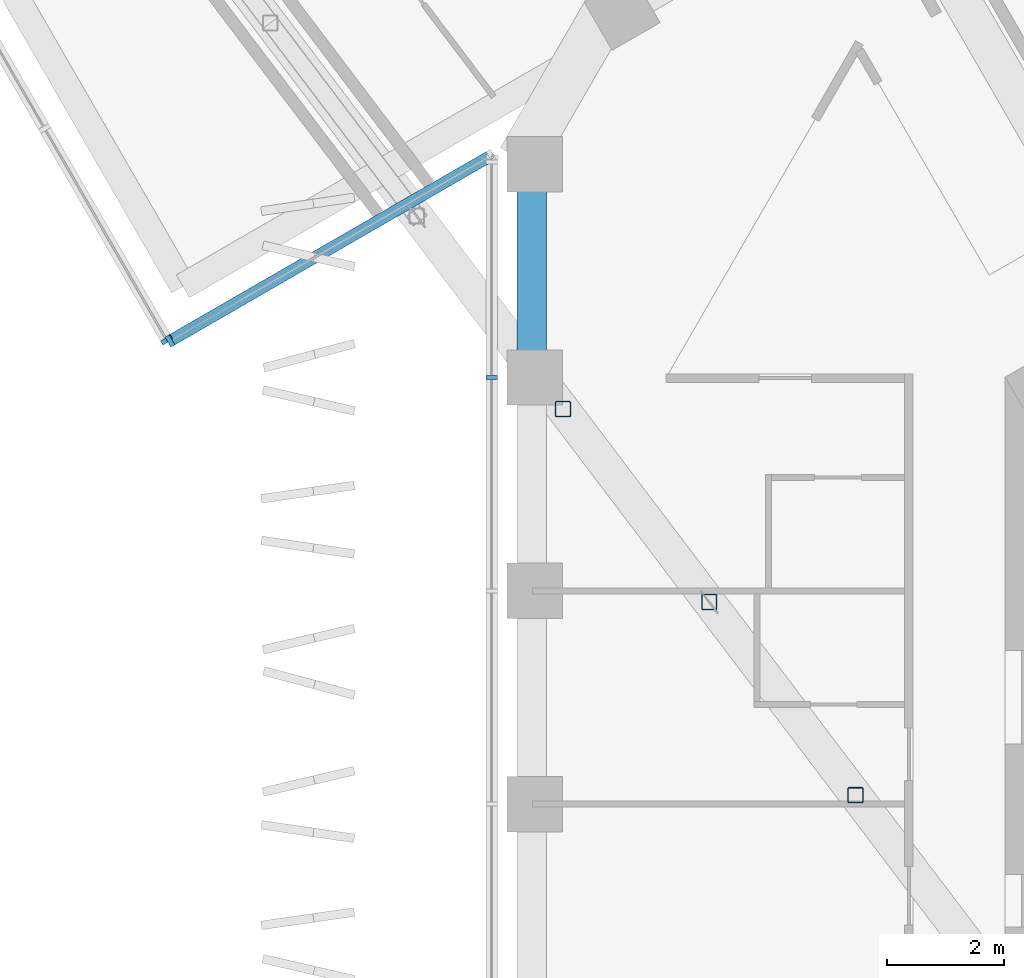
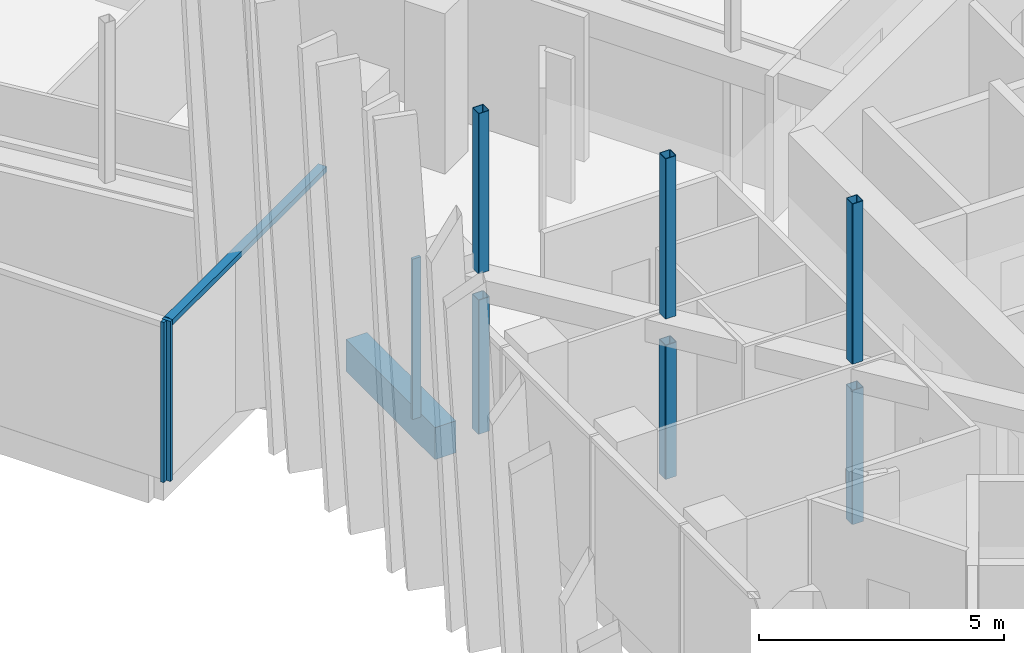
# One storey, part 3 of 29: 10 members, 1 beam, 3 elements without a shape of their own.
"""IFC4 building model written with IfcOpenShell, lengths in metres."""

import ifcopenshell
import ifcopenshell.guid

model = None  # the IFC model being written
_history = None  # IfcOwnerHistory: only IFC2X3 demands one
_inside = {}  # id of a spatial element -> (the spatial element, [elements in it])
_under = {}  # id of a project, library or spatial element -> (it, [spatial elements below it])
_declared = {}  # id of a project -> (the project, [libraries it declares])
_typed = {}  # id of a type object -> (the type object, [elements of that type])
_made_of = {}  # id of a material, layer set ... -> (it, [elements and type objects made of it])


def new_model(schema):
    """Start an empty IFC model of exactly this schema.

    Asked for "IFC4X3", IfcOpenShell would pick the latest addendum, in which some entities
    have other attributes; the version numbers below select the first issue.
    IFC2X3 requires an IfcOwnerHistory on every rooted entity: one is made here for all.
    """
    global model, _history
    if schema == "IFC4X3":
        model = ifcopenshell.file(schema_version=(4, 3, 0, 0))
    else:
        model = ifcopenshell.file(schema=schema)
    _inside.clear()
    _under.clear()
    _declared.clear()
    _typed.clear()
    _made_of.clear()
    _history = None
    if model.schema == "IFC2X3":
        org = make("IfcOrganization", Name="unknown")
        user = make(
            "IfcPersonAndOrganization",
            ThePerson=make("IfcPerson", FamilyName="unknown"),
            TheOrganization=org,
        )
        app = make(
            "IfcApplication",
            ApplicationDeveloper=org,
            Version="unknown",
            ApplicationFullName="unknown",
            ApplicationIdentifier="unknown",
        )
        _history = make(
            "IfcOwnerHistory",
            OwningUser=user,
            OwningApplication=app,
            ChangeAction="ADDED",
            CreationDate=0,
        )
    return model


def make(cls, **values):
    """One entity of the class cls with the attributes given. An attribute that is None is left unset."""
    return model.create_entity(
        cls, **{name: value for name, value in values.items() if value is not None}
    )


def rooted(cls, **values):
    """An entity with a GlobalId (a new one), such as an element, a storey or a relation."""
    return make(cls, GlobalId=ifcopenshell.guid.new(), OwnerHistory=_history, **values)


def si_unit(unit_type, name, prefix=None):
    """IfcSIUnit, for example si_unit("LENGTHUNIT", "METRE", prefix="MILLI")."""
    return make("IfcSIUnit", UnitType=unit_type, Prefix=prefix, Name=name)


def assignment(units):
    """IfcUnitAssignment: the units of a project."""
    return None if units is None else make("IfcUnitAssignment", Units=units)


def point(xyz):
    """IfcCartesianPoint."""
    return None if xyz is None else make("IfcCartesianPoint", Coordinates=xyz)


def direction(xyz):
    """IfcDirection."""
    return None if xyz is None else make("IfcDirection", DirectionRatios=xyz)


def frame(location, z_axis=None, x_axis=None):
    """IfcAxis2Placement3D, a coordinate frame: its origin and axes. An axis left out is left unset."""
    return make(
        "IfcAxis2Placement3D",
        Location=point(location),
        Axis=direction(z_axis),
        RefDirection=direction(x_axis),
    )


def frame_2d(location, x_axis=None):
    """IfcAxis2Placement2D, a coordinate frame in the plane: its origin and x axis."""
    return make(
        "IfcAxis2Placement2D", Location=point(location), RefDirection=direction(x_axis)
    )


def origin():
    """The frame at (0, 0, 0) with its axes left unset."""
    return frame((0.0, 0.0, 0.0))


def origin_2d():
    """The frame at (0, 0) in the plane with its x axis left unset."""
    return frame_2d((0.0, 0.0))


def place(relative_to, where):
    """IfcLocalPlacement: puts the frame where relative to a parent placement (None: the world)."""
    return make(
        "IfcLocalPlacement", PlacementRelTo=relative_to, RelativePlacement=where
    )


def context(
    kind, dimensions, precision=None, world=None, true_north=None, identifier=None
):
    """IfcGeometricRepresentationContext, for example the 3D "Model" context."""
    return make(
        "IfcGeometricRepresentationContext",
        ContextIdentifier=identifier,
        ContextType=kind,
        CoordinateSpaceDimension=dimensions,
        Precision=precision,
        WorldCoordinateSystem=world,
        TrueNorth=true_north,
    )


def subcontext(parent, identifier, kind, view, scale=None):
    """IfcGeometricRepresentationSubContext, for example "Body" below "Model"."""
    return make(
        "IfcGeometricRepresentationSubContext",
        ContextIdentifier=identifier,
        ContextType=kind,
        ParentContext=parent,
        TargetScale=scale,
        TargetView=view,
    )


def project(units=None, contexts=None):
    """IfcProject with its units and contexts."""
    return rooted(
        "IfcProject",
        Name="project",
        RepresentationContexts=contexts,
        UnitsInContext=assignment(units),
    )


def spatial(cls, under=None, at=None, **own):
    """A site, building, storey or space (cls), placed at a placement, below another one or the project."""
    s = rooted(cls, ObjectPlacement=at, **own)
    if under is not None:
        _under.setdefault(under.id(), (under, []))[1].append(s)
    return s


def profile(cls, at=None, kind="AREA", **sizes):
    """A parametric profile (cls). Its sizes go by their IFC names, for example OverallWidth=200.0."""
    return make(cls, ProfileType=kind, Position=at, **sizes)


def rectangle(**sizes):
    """IfcRectangleProfileDef."""
    return profile("IfcRectangleProfileDef", **sizes)


def hollow_rectangle(**sizes):
    """IfcRectangleHollowProfileDef."""
    return profile("IfcRectangleHollowProfileDef", **sizes)


def extrude(swept, where, along, depth):
    """IfcExtrudedAreaSolid: the profile swept, set in the frame where, extruded along a direction by depth."""
    return make(
        "IfcExtrudedAreaSolid",
        SweptArea=swept,
        Position=where,
        ExtrudedDirection=direction(along),
        Depth=depth,
    )


def shape(context_of_items, identifier, shape_type, items):
    """IfcShapeRepresentation: the items that make up one representation, for example the "Body"."""
    return make(
        "IfcShapeRepresentation",
        ContextOfItems=context_of_items,
        RepresentationIdentifier=identifier,
        RepresentationType=shape_type,
        Items=items,
    )


def material(Name=None, Category=None):
    """IfcMaterial."""
    return make("IfcMaterial", Name=Name, Category=Category)


def layer(
    of_material, thickness, ventilated=None, Name=None, Category=None, Priority=None
):
    """IfcMaterialLayer: one layer of a wall or slab, of a material (None: an air gap)."""
    return make(
        "IfcMaterialLayer",
        Material=of_material,
        LayerThickness=thickness,
        IsVentilated=ventilated,
        Name=Name,
        Category=Category,
        Priority=Priority,
    )


def layer_set(layers, Name=None):
    """IfcMaterialLayerSet."""
    return make("IfcMaterialLayerSet", MaterialLayers=layers, LayerSetName=Name)


def material_profile(
    of_material, cross_section, Name=None, Category=None, Priority=None
):
    """IfcMaterialProfile: a cross section and its material."""
    return make(
        "IfcMaterialProfile",
        Name=Name,
        Material=of_material,
        Profile=cross_section,
        Priority=Priority,
        Category=Category,
    )


def profile_set(profiles, Name=None, composite=None):
    """IfcMaterialProfileSet."""
    return make(
        "IfcMaterialProfileSet",
        Name=Name,
        MaterialProfiles=profiles,
        CompositeProfile=composite,
    )


def made_of(thing, what):
    """Note that an element or type object is made of a material, layer set ...; save() writes the relation."""
    if what is not None:
        _made_of.setdefault(what.id(), (what, []))[1].append(thing)
    return thing


def type_object(cls, material=None, **own):
    """A type object (cls), such as IfcWallType, which elements share."""
    return made_of(rooted(cls, **own), material)


def element(
    cls,
    number,
    at=None,
    inside=None,
    cuts=None,
    type_object=None,
    material=None,
    context=None,
    identifier="Body",
    shape_type=None,
    held_by="IfcProductDefinitionShape",
    body=None,
    shapes=None,
    **own,
):
    """One element of the class cls, such as IfcWall. Its Tag is "e" and its number.

    at: its placement. inside: the storey or other place that contains it. cuts: it is an
    opening in that element (IfcRelVoidsElement). A single representation is given by context,
    identifier, shape_type and body (its items); several are given by shapes. held_by: the class
    of the entity that holds the representations. save() writes the other relations.
    """
    e = rooted(cls, Tag="e%d" % number, ObjectPlacement=at, **own)
    if body is not None:
        shapes = [shape(context, identifier, shape_type, body)]
    if shapes is not None:
        e.Representation = make(held_by, Representations=shapes)
    if inside is not None:
        _inside.setdefault(inside.id(), (inside, []))[1].append(e)
    if cuts is not None:
        rooted(
            "IfcRelVoidsElement", RelatingBuildingElement=cuts, RelatedOpeningElement=e
        )
    if type_object is not None:
        _typed.setdefault(type_object.id(), (type_object, []))[1].append(e)
    return made_of(e, material)


def aggregate(whole, parts):
    """IfcRelAggregates: a whole, such as a stair, and the parts it consists of."""
    return rooted("IfcRelAggregates", RelatingObject=whole, RelatedObjects=parts)


def save(model, path):
    """Write the relations noted so far, then the file.

    IfcRelAggregates (storeys below a building ...), IfcRelContainedInSpatialStructure (elements
    in a storey), IfcRelDefinesByType, IfcRelAssociatesMaterial and IfcRelDeclares: one each for
    every whole, place, type object, material and project.
    """
    for whole, parts in _under.values():
        aggregate(whole, parts)
    for where, things in _inside.values():
        rooted(
            "IfcRelContainedInSpatialStructure",
            RelatedElements=things,
            RelatingStructure=where,
        )
    for kind, things in _typed.values():
        rooted("IfcRelDefinesByType", RelatedObjects=things, RelatingType=kind)
    for what, things in _made_of.values():
        rooted("IfcRelAssociatesMaterial", RelatedObjects=things, RelatingMaterial=what)
    for by, libraries in _declared.values():
        rooted("IfcRelDeclares", RelatingContext=by, RelatedDefinitions=libraries)
    model.write(path)


model = new_model("IFC4")

# Units and contexts
model_context = context("Model", 3, precision=1e-05, world=origin(), true_north=direction((0.0, 1.0)))
body_context = subcontext(model_context, "Body", "Model", "MODEL_VIEW")
ifc_project = project(units=[si_unit("LENGTHUNIT", "METRE"), si_unit("AREAUNIT", "SQUARE_METRE"), si_unit("VOLUMEUNIT", "CUBIC_METRE"), si_unit("PLANEANGLEUNIT", "RADIAN"), si_unit("MASSUNIT", "GRAM", prefix="KILO")], contexts=[model_context])

# Site, building, storey
site_placement = place(None, origin())
site = spatial("IfcSite", under=ifc_project, at=site_placement, CompositionType="ELEMENT")
building_placement = place(site_placement, origin())
building = spatial("IfcBuilding", under=site, at=building_placement, Name="Ayvan Gate Tower", CompositionType="ELEMENT")
storey_placement = place(building_placement, frame((0.0, 0.0, 186.699951171875)))
storey = spatial("IfcBuildingStorey", under=building, at=storey_placement, Name="L50", CompositionType="ELEMENT", Elevation=186.699951171875)

# Members
ifc_material_1 = material(Name="Steel S460NH", Category="steel")
ifc_material_profile_1 = material_profile(ifc_material_1, hollow_rectangle(XDim=0.27001953125, YDim=0.27001953125, WallThickness=0.012451171875, InnerFilletRadius=0.012451171875, OuterFilletRadius=0.018798828125, at=origin_2d()), Name="RHS 270x270x12.5")
ifc_profile_set_1 = profile_set([ifc_material_profile_1], Name="Steel S460NH")
member_type_1 = type_object("IfcMemberType", Name="Sky bar end truss post B4 RHS 270x270x12.5", PredefinedType="POST", material=ifc_profile_set_1)
for number, where, z_axis, x_axis, name in (
    (1, (-12.0625, -1.672119140625, -0.39990234375), (0.0, 0.0, 1.0), (1.0, 0.0, 0.0), "SBT4-4-P-1"),
    (2, (-14.5673828125, 1.6328125, -0.39990234375), (0.0, 0.0, 1.0), (1.0, 0.0, 0.0), "SBT4-4-P-2"),
    (3, (-17.072265625, 4.93798828125, -0.39990234375), (0.0, 0.0, 1.0), (1.0, 0.0, 0.0), "SBT4-4-P-3"),
):
    element("IfcMember", number, at=place(storey_placement, frame(where, z_axis=z_axis, x_axis=x_axis)), inside=storey, type_object=member_type_1, Name=name, PredefinedType="POST", context=body_context, shape_type="SweptSolid", body=[
        extrude(hollow_rectangle(XDim=0.27001953125, YDim=0.27001953125, WallThickness=0.012451171875, InnerFilletRadius=0.012451171875, OuterFilletRadius=0.018798828125, at=origin_2d()), origin(), (0.0, 0.0, 1.0), 3.349853515625),
    ])
ifc_material_profile_2 = material_profile(ifc_material_1, hollow_rectangle(XDim=0.260009765625, YDim=0.260009765625, WallThickness=0.012451171875, InnerFilletRadius=0.012451171875, OuterFilletRadius=0.018798828125, at=origin_2d()), Name="RHS 260x260x12.5")
ifc_profile_set_2 = profile_set([ifc_material_profile_2], Name="Steel S460NH")
member_type_2 = type_object("IfcMemberType", Name="Sky bar upper post B4 RHS 260x260x12.5", PredefinedType="POST", material=ifc_profile_set_2)
for number, where, z_axis, x_axis, name in (
    (4, (-12.0625, -1.672119140625, 3.60009765625), (0.0, 0.0, 1.0), (1.0, 0.0, 0.0), "SBT4-4-U-1"),
    (5, (-14.5673828125, 1.6328125, 3.60009765625), (0.0, 0.0, 1.0), (1.0, 0.0, 0.0), "SBT4-4-U-2"),
    (6, (-17.072265625, 4.93798828125, 3.60009765625), (0.0, 0.0, 1.0), (1.0, 0.0, 0.0), "SBT4-4-U-3"),
):
    element("IfcMember", number, at=place(storey_placement, frame(where, z_axis=z_axis, x_axis=x_axis)), inside=storey, type_object=member_type_2, Name=name, PredefinedType="POST", context=body_context, shape_type="SweptSolid", body=[
        extrude(hollow_rectangle(XDim=0.260009765625, YDim=0.260009765625, WallThickness=0.012451171875, InnerFilletRadius=0.012451171875, OuterFilletRadius=0.018798828125, at=origin_2d()), origin(), (0.0, 0.0, 1.0), 4.0),
    ])

# Beam
ifc_material_2 = material(Name="Concrete C40/50", Category="concrete")
ifc_material_profile_3 = material_profile(ifc_material_2, rectangle(XDim=0.5, YDim=0.800048828125, at=origin_2d()), Name="RC 500x800")
ifc_profile_set_3 = profile_set([ifc_material_profile_3], Name="Concrete C40/50")
beam_type = type_object("IfcBeamType", Name="Spandrel beam RC 500x800 C40/50", PredefinedType="BEAM", material=ifc_profile_set_3)
beam_placement = place(storey_placement, frame((-17.60693359375, 9.1025390625, -0.800048828125), z_axis=(0.0, -1.0, 0.0), x_axis=(1.0, 0.0, 0.0)))
element("IfcBeam", 7, at=beam_placement, inside=storey, type_object=beam_type, Name="SB-L50-19", PredefinedType="BEAM", context=body_context, shape_type="SweptSolid", body=[
    extrude(rectangle(XDim=0.5, YDim=0.800048828125, at=origin_2d()), origin(), (0.0, 0.0, 1.0), 3.64111328125),
])

# Curtain wall, member
ifc_material_3 = material(Name="Bronze anodised aluminium", Category="aluminium")
ifc_layer_1 = layer(ifc_material_3, 0.199951171875)
ifc_layer_set_1 = layer_set([ifc_layer_1], Name="Bronze anodised aluminium")
curtain_wall_type_1 = type_object("IfcCurtainWallType", Name="Stick curtain wall CW-2", PredefinedType="NOTDEFINED", material=ifc_layer_set_1)
curtain_wall_1_placement = place(storey_placement, origin())
curtain_wall_1 = element("IfcCurtainWall", 8, at=curtain_wall_1_placement, inside=storey, type_object=curtain_wall_type_1, Name="Stick curtain wall CW-2 L50", PredefinedType="NOTDEFINED")
ifc_material_profile_4 = material_profile(ifc_material_3, rectangle(XDim=0.199951171875, YDim=0.070068359375, at=origin_2d()), Name="Stick curtain wall CW-2 mullion 200 x 70")
ifc_profile_set_4 = profile_set([ifc_material_profile_4], Name="Bronze anodised aluminium")
member_type_3 = type_object("IfcMemberType", Name="Stick curtain wall CW-2 mullion 200 x 70", PredefinedType="MULLION", material=ifc_profile_set_4)
member_1_placement = place(storey_placement, frame((-18.29296875, 5.478759765625, 0.0), z_axis=(0.0, 0.0, 1.0), x_axis=(-1.0, 0.0, 0.0)))
member_1 = element("IfcMember", 9, at=member_1_placement, type_object=member_type_3, Name="CW-2 mullion 2", PredefinedType="MULLION", context=body_context, shape_type="SweptSolid", body=[
    extrude(rectangle(XDim=0.199951171875, YDim=0.070068359375, at=origin_2d()), origin(), (0.0, 0.0, 1.0), 4.0),
])
aggregate(curtain_wall_1, [member_1])

ifc_layer_2 = layer(ifc_material_3, 0.199951171875)
ifc_layer_set_2 = layer_set([ifc_layer_2], Name="Bronze anodised aluminium")
curtain_wall_type_2 = type_object("IfcCurtainWallType", Name="Stick curtain wall CW-4", PredefinedType="NOTDEFINED", material=ifc_layer_set_2)
curtain_wall_2_placement = place(storey_placement, origin())
curtain_wall_2 = element("IfcCurtainWall", 10, at=curtain_wall_2_placement, inside=storey, type_object=curtain_wall_type_2, Name="Stick curtain wall CW-4 L50", PredefinedType="NOTDEFINED")
ifc_material_profile_5 = material_profile(ifc_material_3, rectangle(XDim=0.199951171875, YDim=0.080078125, at=origin_2d()), Name="Stick curtain wall CW-4 mullion 200 x 80")
ifc_profile_set_5 = profile_set([ifc_material_profile_5], Name="Bronze anodised aluminium")
member_type_4 = type_object("IfcMemberType", Name="Stick curtain wall CW-4 mullion 200 x 80", PredefinedType="MULLION", material=ifc_profile_set_5)
member_2_placement = place(storey_placement, frame((-23.855224609375, 6.11865234375, 0.0), z_axis=(0.0, 0.0, 1.0), x_axis=(-0.866025403784, -0.5, 0.0)))
member_2 = element("IfcMember", 11, at=member_2_placement, type_object=member_type_4, Name="CW-4 mullion 5", PredefinedType="MULLION", context=body_context, shape_type="SweptSolid", body=[
    extrude(rectangle(XDim=0.199951171875, YDim=0.080078125, at=origin_2d()), origin(), (0.0, 0.0, 1.0), 4.0),
])
aggregate(curtain_wall_2, [member_2])

# Curtain wall, members
curtain_wall_3_placement = place(storey_placement, origin())
curtain_wall_3 = element("IfcCurtainWall", 12, at=curtain_wall_3_placement, inside=storey, type_object=curtain_wall_type_2, Name="Stick curtain wall CW-4 L50", PredefinedType="NOTDEFINED")
member_3_placement = place(storey_placement, frame((-23.80078125, 6.10400390625, 0.0), z_axis=(0.0, 0.0, 1.0), x_axis=(0.5, -0.866025403784, 0.0)))
member_3 = element("IfcMember", 13, at=member_3_placement, type_object=member_type_4, Name="CW-4 mullion 1", PredefinedType="MULLION", context=body_context, shape_type="SweptSolid", body=[
    extrude(rectangle(XDim=0.199951171875, YDim=0.080078125, at=origin_2d()), origin(), (0.0, 0.0, 1.0), 4.0),
])
ifc_material_profile_6 = material_profile(ifc_material_3, rectangle(XDim=0.199951171875, YDim=0.139892578125, at=origin_2d()), Name="Stick curtain wall CW-4 transom 200 x 140")
ifc_profile_set_6 = profile_set([ifc_material_profile_6], Name="Bronze anodised aluminium")
member_type_5 = type_object("IfcMemberType", Name="Stick curtain wall CW-4 transom 200 x 140", PredefinedType="USERDEFINED", material=ifc_profile_set_6)
member_4_placement = place(storey_placement, frame((-23.80078125, 6.10400390625, 3.929931640625), z_axis=(0.866036394362, 0.499980963277, 0.0), x_axis=(-0.499980963277, 0.866036394362, 0.0)))
member_4 = element("IfcMember", 14, at=member_4_placement, type_object=member_type_5, Name="CW-4 transom 1", ObjectType="TRANSOM", PredefinedType="USERDEFINED", context=body_context, shape_type="SweptSolid", body=[
    extrude(rectangle(XDim=0.199951171875, YDim=0.139892578125, at=origin_2d()), origin(), (0.0, 0.0, 1.0), 6.349365234375),
])
aggregate(curtain_wall_3, [member_3, member_4])

save(model, "model.ifc")
